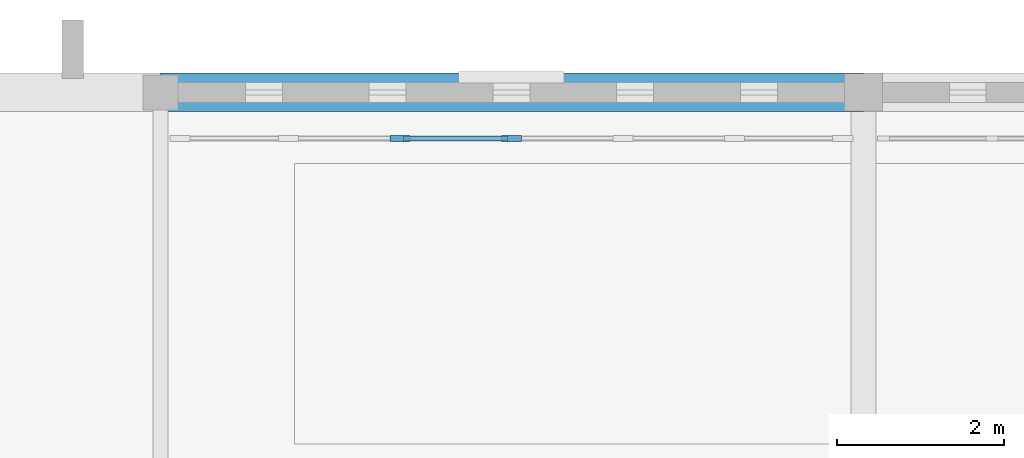
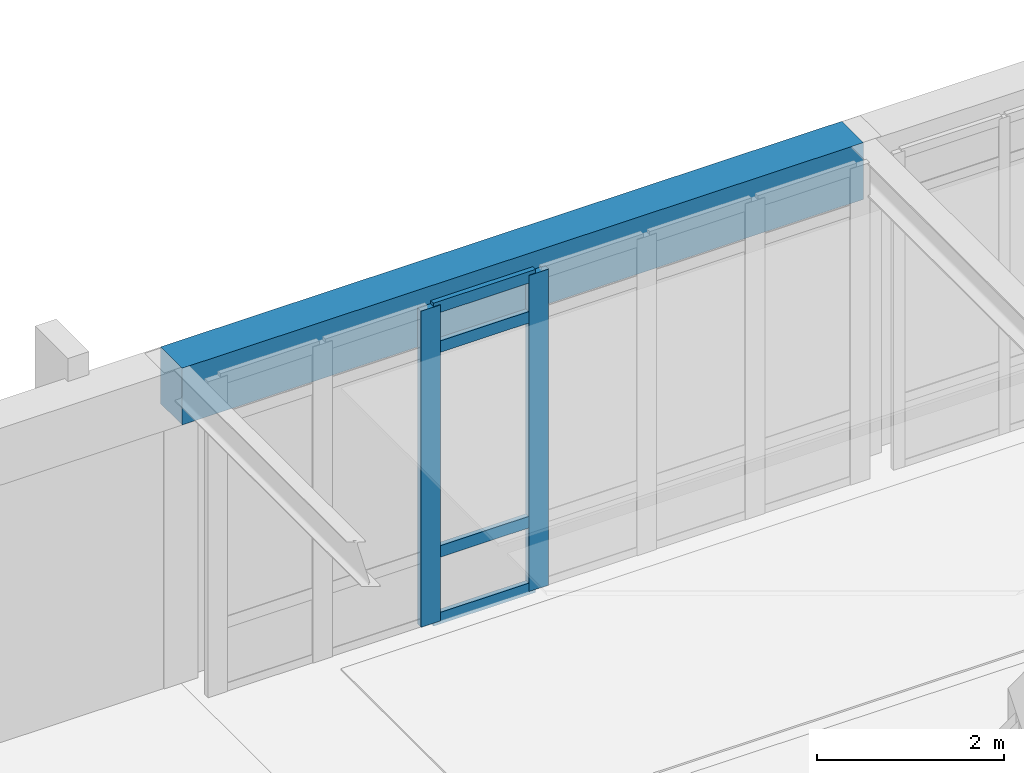
# One storey, part 87 of 192: 6 members, 1 beam, 1 element without a shape of its own.
"""IFC4 building model written with IfcOpenShell, lengths in metres."""

from ifc_helpers import new_model, si_unit, direction, frame, origin, origin_2d, place, context, subcontext, project, spatial, rectangle, extrude, material, layer, layer_set, material_profile, profile_set, type_object, element, aggregate, save


model = new_model("IFC4")

# Units and contexts
model_context = context("Model", 3, precision=1e-05, world=origin(), true_north=direction((0.0, 1.0)))
body_context = subcontext(model_context, "Body", "Model", "MODEL_VIEW")
ifc_project = project(units=[si_unit("LENGTHUNIT", "METRE"), si_unit("AREAUNIT", "SQUARE_METRE"), si_unit("VOLUMEUNIT", "CUBIC_METRE"), si_unit("PLANEANGLEUNIT", "RADIAN"), si_unit("MASSUNIT", "GRAM", prefix="KILO")], contexts=[model_context])

# Site, building, storey
site_placement = place(None, origin())
site = spatial("IfcSite", under=ifc_project, at=site_placement, CompositionType="ELEMENT")
building_placement = place(site_placement, origin())
building = spatial("IfcBuilding", under=site, at=building_placement, Name="Kveldsbrygga Polytechnic", CompositionType="ELEMENT")
storey_placement = place(building_placement, frame((0.0, 0.0, 5.43994140625)))
storey = spatial("IfcBuildingStorey", under=building, at=storey_placement, Name="L01", CompositionType="ELEMENT", Elevation=5.43994140625)

# Beam
ifc_material_1 = material(Name="Concrete C35/45", Category="concrete")
ifc_material_profile_1 = material_profile(ifc_material_1, rectangle(XDim=0.4599609375, YDim=0.739990234375, at=origin_2d()), Name="RC 460x740")
ifc_profile_set_1 = profile_set([ifc_material_profile_1], Name="Concrete C35/45")
beam_type = type_object("IfcBeamType", Name="BM-RC-460x740", PredefinedType="BEAM", material=ifc_profile_set_1)
beam_placement = place(storey_placement, frame((58.800048828125, 117.60009765625, 3.75), z_axis=(1.0, 0.0, 0.0), x_axis=(0.0, 1.0, 0.0)))
element("IfcBeam", 1, at=beam_placement, inside=storey, type_object=beam_type, Name="Primary Beam BMX-L01-07to08-14", PredefinedType="BEAM", context=body_context, shape_type="SweptSolid", body=[
    extrude(rectangle(XDim=0.4599609375, YDim=0.739990234375, at=origin_2d()), origin(), (0.0, 0.0, 1.0), 8.39990234375),
])

# Curtain wall, members
ifc_material_2 = material(Name="Anodised aluminium AW-6060", Category="aluminium")
ifc_layer = layer(ifc_material_2, 0.2099609375)
ifc_layer_set = layer_set([ifc_layer], Name="Anodised aluminium AW-6060")
curtain_wall_type = type_object("IfcCurtainWallType", Name="CW-LIBR-H", PredefinedType="USERDEFINED", material=ifc_layer_set)
curtain_wall_placement = place(storey_placement, origin())
curtain_wall = element("IfcCurtainWall", 2, at=curtain_wall_placement, inside=storey, type_object=curtain_wall_type, Name="Curtain Wall CW-L01-X-07-14", ObjectType="UNITISED CURTAIN WALL", PredefinedType="USERDEFINED")
ifc_material_profile_2 = material_profile(ifc_material_2, rectangle(XDim=0.074951171875, YDim=0.239990234375, at=origin_2d()), Name="ALU 75x240")
ifc_profile_set_2 = profile_set([ifc_material_profile_2], Name="Anodised aluminium AW-6060")
member_type_1 = type_object("IfcMemberType", Name="CW-MUL-240", PredefinedType="MULLION", material=ifc_profile_set_2)
member_1_placement = place(storey_placement, frame((61.659912109375, 117.050048828125, 0.0), z_axis=(0.0, 0.0, 1.0), x_axis=(0.0, 1.0, 0.0)))
member_1 = element("IfcMember", 3, at=member_1_placement, type_object=member_type_1, Name="CW-08 mullion 3", PredefinedType="MULLION", context=body_context, shape_type="SweptSolid", body=[
    extrude(rectangle(XDim=0.074951171875, YDim=0.239990234375, at=origin_2d()), origin(), (0.0, 0.0, 1.0), 4.1201171875),
])
member_2_placement = place(storey_placement, frame((62.992431640625, 117.050048828125, 0.0), z_axis=(0.0, 0.0, 1.0), x_axis=(0.0, 1.0, 0.0)))
member_2 = element("IfcMember", 4, at=member_2_placement, type_object=member_type_1, Name="CW-08 mullion 4", PredefinedType="MULLION", context=body_context, shape_type="SweptSolid", body=[
    extrude(rectangle(XDim=0.074951171875, YDim=0.239990234375, at=origin_2d()), origin(), (0.0, 0.0, 1.0), 4.1201171875),
])
ifc_material_profile_3 = material_profile(ifc_material_2, rectangle(XDim=0.06005859375, YDim=0.14990234375, at=origin_2d()), Name="ALU 60x150")
ifc_profile_set_3 = profile_set([ifc_material_profile_3], Name="Anodised aluminium AW-6060")
member_type_2 = type_object("IfcMemberType", Name="CW-TRN-150", PredefinedType="USERDEFINED", material=ifc_profile_set_3)
member_3_placement = place(storey_placement, frame((61.697509765625, 117.050048828125, 0.030029296875), z_axis=(1.0, 0.0, 0.0), x_axis=(0.0, 1.0, 0.0)))
member_3 = element("IfcMember", 5, at=member_3_placement, type_object=member_type_2, Name="CW-08 transom 3.1", ObjectType="TRANSOM", PredefinedType="USERDEFINED", context=body_context, shape_type="SweptSolid", body=[
    extrude(rectangle(XDim=0.06005859375, YDim=0.14990234375, at=origin_2d()), origin(), (0.0, 0.0, 1.0), 1.257568359375),
])
member_4_placement = place(storey_placement, frame((61.697509765625, 117.050048828125, 0.900146484375), z_axis=(1.0, 0.0, 0.0), x_axis=(0.0, 1.0, 0.0)))
member_4 = element("IfcMember", 6, at=member_4_placement, type_object=member_type_2, Name="CW-08 transom 3.2", ObjectType="TRANSOM", PredefinedType="USERDEFINED", context=body_context, shape_type="SweptSolid", body=[
    extrude(rectangle(XDim=0.06005859375, YDim=0.14990234375, at=origin_2d()), origin(), (0.0, 0.0, 1.0), 1.257568359375),
])
member_5_placement = place(storey_placement, frame((61.697509765625, 117.050048828125, 3.570068359375), z_axis=(1.0, 0.0, 0.0), x_axis=(0.0, 1.0, 0.0)))
member_5 = element("IfcMember", 7, at=member_5_placement, type_object=member_type_2, Name="CW-08 transom 3.3", ObjectType="TRANSOM", PredefinedType="USERDEFINED", context=body_context, shape_type="SweptSolid", body=[
    extrude(rectangle(XDim=0.06005859375, YDim=0.14990234375, at=origin_2d()), origin(), (0.0, 0.0, 1.0), 1.257568359375),
])
member_6_placement = place(storey_placement, frame((61.697509765625, 117.050048828125, 4.090087890625), z_axis=(1.0, 0.0, 0.0), x_axis=(0.0, 1.0, 0.0)))
member_6 = element("IfcMember", 8, at=member_6_placement, type_object=member_type_2, Name="CW-08 transom 3.4", ObjectType="TRANSOM", PredefinedType="USERDEFINED", context=body_context, shape_type="SweptSolid", body=[
    extrude(rectangle(XDim=0.06005859375, YDim=0.14990234375, at=origin_2d()), origin(), (0.0, 0.0, 1.0), 1.257568359375),
])
aggregate(curtain_wall, [member_1, member_2, member_3, member_4, member_5, member_6])

save(model, "model.ifc")
